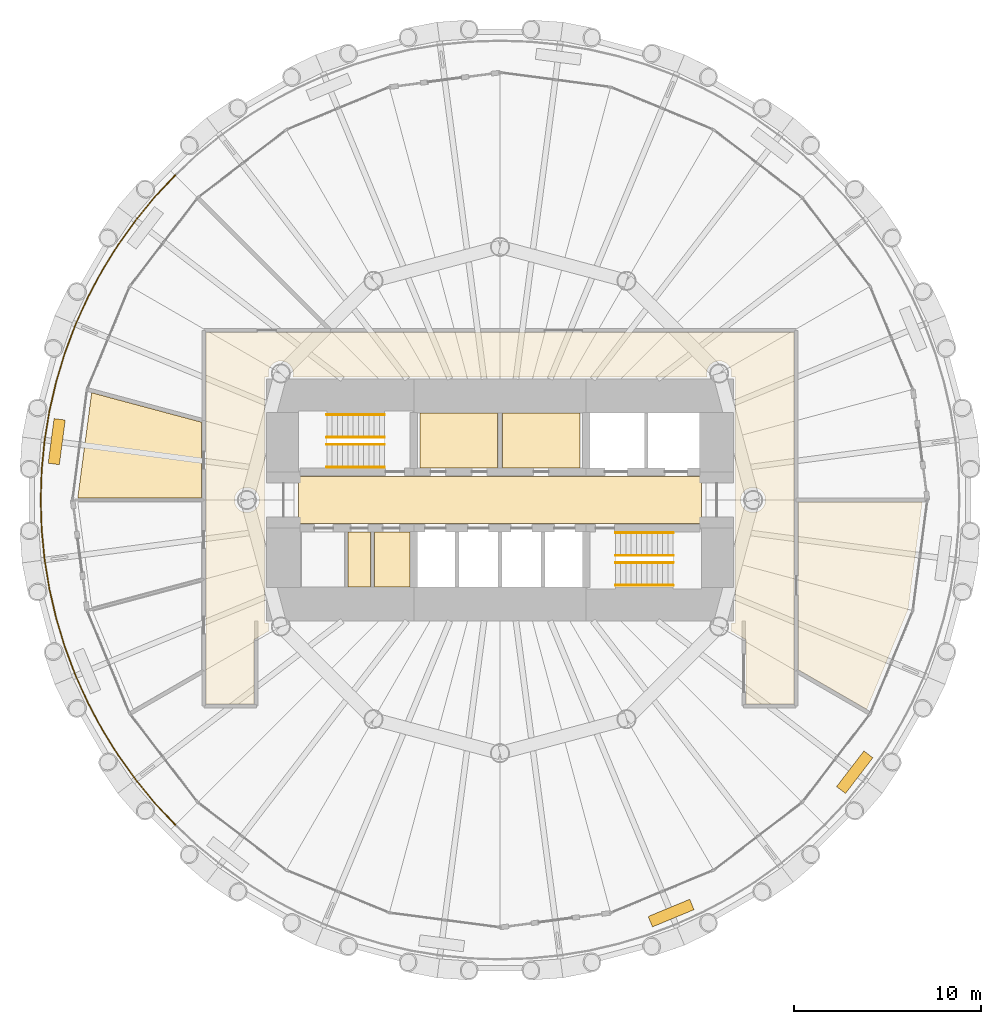
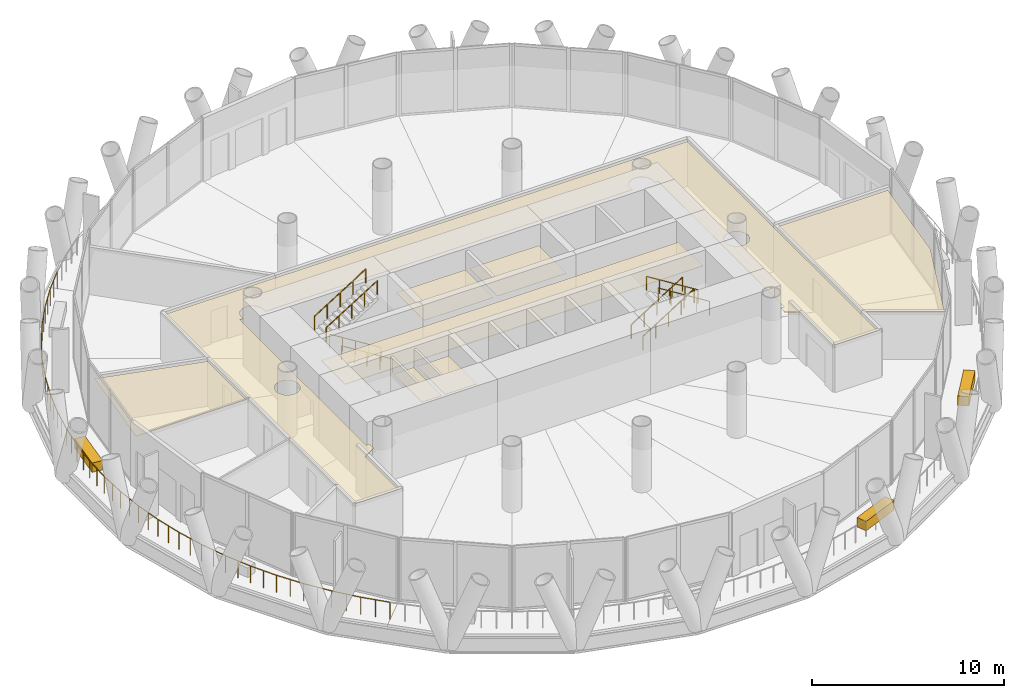
# One storey, part 12 of 14: 11 coverings, 9 railings.
"""IFC4 building model written with IfcOpenShell, lengths in metres."""

from ifc_helpers import new_model, si_unit, direction, frame, origin, origin_2d, place, context, subcontext, project, spatial, polyline, rectangle, circle, outline, extrude, material, layer, layer_set, type_object, element, save


model = new_model("IFC4")

# Units and contexts
model_context = context("Model", 3, precision=1e-05, world=origin(), true_north=direction((0.0, 1.0)))
body_context = subcontext(model_context, "Body", "Model", "MODEL_VIEW")
ifc_project = project(units=[si_unit("LENGTHUNIT", "METRE"), si_unit("AREAUNIT", "SQUARE_METRE"), si_unit("VOLUMEUNIT", "CUBIC_METRE"), si_unit("PLANEANGLEUNIT", "RADIAN"), si_unit("MASSUNIT", "GRAM", prefix="KILO")], contexts=[model_context])

# Site, building, storey
site_placement = place(None, origin())
site = spatial("IfcSite", under=ifc_project, at=site_placement, CompositionType="ELEMENT")
building_placement = place(site_placement, origin())
building = spatial("IfcBuilding", under=site, at=building_placement, Name="Qaws Media Tower", CompositionType="ELEMENT")
storey_placement = place(building_placement, frame((0.0, 0.0, 118.39990234375)))
storey = spatial("IfcBuildingStorey", under=building, at=storey_placement, Name="L26", CompositionType="ELEMENT", Elevation=118.39990234375)

# Railing
ifc_material_1 = material(Name="Stainless steel and glass guard", Category="steel")
railing_type_1 = type_object("IfcRailingType", Name="Balcony guard 1100", PredefinedType="GUARDRAIL", material=ifc_material_1)
railing_placement = place(storey_placement, frame((42.67578125, 67.32421875, 0.0)))
element("IfcRailing", 1, at=railing_placement, inside=storey, type_object=railing_type_1, Name="GR1 balcony guard L26-2", PredefinedType="GUARDRAIL", context=body_context, shape_type="SweptSolid", body=[
    extrude(circle(Radius=0.02392578125, at=origin_2d()), frame((0.0, 0.0, 1.076171875), z_axis=(-0.683581400889, -0.729874282571, 0.0), x_axis=(0.729874282571, -0.683581400889, 0.0)), (0.0, 0.0, 1.0), 1.603271484375),
    extrude(circle(Radius=0.02392578125, at=origin_2d()), frame((-1.095947265625, -1.170166015625, 1.076171875), z_axis=(-0.634339944874, -0.773054224707, 0.0), x_axis=(0.773054224707, -0.634339944874, 0.0)), (0.0, 0.0, 1.0), 1.603271484375),
    extrude(circle(Radius=0.02392578125, at=origin_2d()), frame((-2.113037109375, -2.40966796875, 1.076171875), z_axis=(-0.582534034023, -0.812806311002, 0.0), x_axis=(0.812806311002, -0.582534034023, 0.0)), (0.0, 0.0, 1.0), 1.60302734375),
    extrude(circle(Radius=0.02392578125, at=origin_2d()), frame((-3.046875, -3.712646484375, 1.076171875), z_axis=(-0.527957869679, -0.849270562215, 0.0), x_axis=(0.849270562215, -0.527957869679, 0.0)), (0.0, 0.0, 1.0), 1.603271484375),
    extrude(circle(Radius=0.02392578125, at=origin_2d()), frame((-3.893310546875, -5.07421875, 1.076171875), z_axis=(-0.471473251733, -0.881880362011, 0.0), x_axis=(0.881880362011, -0.471473251733, 0.0)), (0.0, 0.0, 1.0), 1.603271484375),
    extrude(circle(Radius=0.02392578125, at=origin_2d()), frame((-4.649169921875, -6.488037109375, 1.076171875), z_axis=(-0.412655365799, -0.910887231812, 0.0), x_axis=(0.910887231812, -0.412655365799, 0.0)), (0.0, 0.0, 1.0), 1.603271484375),
    extrude(circle(Radius=0.02392578125, at=origin_2d()), frame((-5.310791015625, -7.948486328125, 1.076171875), z_axis=(-0.352224624201, -0.935915495174, 0.0), x_axis=(0.935915495174, -0.352224624201, 0.0)), (0.0, 0.0, 1.0), 1.603271484375),
    extrude(circle(Radius=0.02392578125, at=origin_2d()), frame((-5.87548828125, -9.448974609375, 1.076171875), z_axis=(-0.290391970189, -0.956907782208, 0.0), x_axis=(0.956907782208, -0.290391970189, 0.0)), (0.0, 0.0, 1.0), 1.603271484375),
    extrude(circle(Radius=0.02392578125, at=origin_2d()), frame((-6.341064453125, -10.983154296875, 1.076171875), z_axis=(-0.227061116742, -0.973880510773, 0.0), x_axis=(0.973880510773, -0.227061116742, 0.0)), (0.0, 0.0, 1.0), 1.603271484375),
    extrude(circle(Radius=0.02392578125, at=origin_2d()), frame((-6.705078125, -12.54443359375, 1.076171875), z_axis=(-0.162793594249, -0.986660146997, 0.0), x_axis=(0.986660146997, -0.162793594249, 0.0)), (0.0, 0.0, 1.0), 1.603271484375),
    extrude(circle(Radius=0.02392578125, at=origin_2d()), frame((-6.966064453125, -14.126220703125, 1.076171875), z_axis=(-0.098056376194, -0.995180861496, 0.0), x_axis=(0.995180861496, -0.098056376194, 0.0)), (0.0, 0.0, 1.0), 1.603515625),
    extrude(circle(Radius=0.02392578125, at=origin_2d()), frame((-7.123291015625, -15.721923828125, 1.076171875), z_axis=(-0.03274184459, -0.999463842074, 0.0), x_axis=(0.999463842074, -0.03274184459, 0.0)), (0.0, 0.0, 1.0), 1.603271484375),
    extrude(circle(Radius=0.02392578125, at=origin_2d()), frame((-7.17578125, -17.32421875, 1.076171875), z_axis=(0.03274184459, -0.999463842074, 0.0), x_axis=(0.999463842074, 0.03274184459, 0.0)), (0.0, 0.0, 1.0), 1.603271484375),
    extrude(circle(Radius=0.02392578125, at=origin_2d()), frame((-7.123291015625, -18.926513671875, 1.076171875), z_axis=(0.098056376194, -0.995180861496, 0.0), x_axis=(0.995180861496, 0.098056376194, 0.0)), (0.0, 0.0, 1.0), 1.603515625),
    extrude(circle(Radius=0.02392578125, at=origin_2d()), frame((-6.966064453125, -20.522216796875, 1.076171875), z_axis=(0.162793594249, -0.986660146997, 0.0), x_axis=(0.986660146997, 0.162793594249, 0.0)), (0.0, 0.0, 1.0), 1.603271484375),
    extrude(circle(Radius=0.02392578125, at=origin_2d()), frame((-6.705078125, -22.10400390625, 1.076171875), z_axis=(0.227061116742, -0.973880510773, 0.0), x_axis=(0.973880510773, 0.227061116742, 0.0)), (0.0, 0.0, 1.0), 1.603271484375),
    extrude(circle(Radius=0.02392578125, at=origin_2d()), frame((-6.341064453125, -23.665283203125, 1.076171875), z_axis=(0.290391970189, -0.956907782208, 0.0), x_axis=(0.956907782208, 0.290391970189, 0.0)), (0.0, 0.0, 1.0), 1.603271484375),
    extrude(circle(Radius=0.02392578125, at=origin_2d()), frame((-5.87548828125, -25.199462890625, 1.076171875), z_axis=(0.352224624201, -0.935915495174, 0.0), x_axis=(0.935915495174, 0.352224624201, 0.0)), (0.0, 0.0, 1.0), 1.603271484375),
    extrude(circle(Radius=0.02392578125, at=origin_2d()), frame((-5.310791015625, -26.699951171875, 1.076171875), z_axis=(0.412655365799, -0.910887231812, 0.0), x_axis=(0.910887231812, 0.412655365799, 0.0)), (0.0, 0.0, 1.0), 1.603271484375),
    extrude(circle(Radius=0.02392578125, at=origin_2d()), frame((-4.649169921875, -28.160400390625, 1.076171875), z_axis=(0.471473251733, -0.881880362011, 0.0), x_axis=(0.881880362011, 0.471473251733, 0.0)), (0.0, 0.0, 1.0), 1.603271484375),
    extrude(circle(Radius=0.02392578125, at=origin_2d()), frame((-3.893310546875, -29.57421875, 1.076171875), z_axis=(0.527957869679, -0.849270562215, 0.0), x_axis=(0.849270562215, 0.527957869679, 0.0)), (0.0, 0.0, 1.0), 1.603271484375),
    extrude(circle(Radius=0.02392578125, at=origin_2d()), frame((-3.046875, -30.935791015625, 1.076171875), z_axis=(0.582534034023, -0.812806311002, 0.0), x_axis=(0.812806311002, 0.582534034023, 0.0)), (0.0, 0.0, 1.0), 1.60302734375),
    extrude(circle(Radius=0.02392578125, at=origin_2d()), frame((-2.113037109375, -32.23876953125, 1.076171875), z_axis=(0.634339944874, -0.773054224707, 0.0), x_axis=(0.773054224707, 0.634339944874, 0.0)), (0.0, 0.0, 1.0), 1.603271484375),
    extrude(circle(Radius=0.02392578125, at=origin_2d()), frame((-1.095947265625, -33.478271484375, 1.076171875), z_axis=(0.683581400889, -0.729874282571, 0.0), x_axis=(0.729874282571, 0.683581400889, 0.0)), (0.0, 0.0, 1.0), 1.603271484375),
    extrude(circle(Radius=0.02099609375, at=origin_2d()), origin(), (0.0, 0.0, 1.0), 1.052001953125),
    extrude(circle(Radius=0.02099609375, at=origin_2d()), frame((-0.5478515625, -0.5849609375, 0.0)), (0.0, 0.0, 1.0), 1.052001953125),
    extrude(circle(Radius=0.02099609375, at=origin_2d()), frame((-1.095947265625, -1.170166015625, 0.0)), (0.0, 0.0, 1.0), 1.052001953125),
    extrude(circle(Radius=0.02099609375, at=origin_2d()), frame((-1.6044921875, -1.7900390625, 0.0)), (0.0, 0.0, 1.0), 1.052001953125),
    extrude(circle(Radius=0.02099609375, at=origin_2d()), frame((-2.113037109375, -2.40966796875, 0.0)), (0.0, 0.0, 1.0), 1.052001953125),
    extrude(circle(Radius=0.02099609375, at=origin_2d()), frame((-2.580078125, -3.06103515625, 0.0)), (0.0, 0.0, 1.0), 1.052001953125),
    extrude(circle(Radius=0.02099609375, at=origin_2d()), frame((-3.046875, -3.712646484375, 0.0)), (0.0, 0.0, 1.0), 1.052001953125),
    extrude(circle(Radius=0.02099609375, at=origin_2d()), frame((-3.47021484375, -4.3935546875, 0.0)), (0.0, 0.0, 1.0), 1.052001953125),
    extrude(circle(Radius=0.02099609375, at=origin_2d()), frame((-3.893310546875, -5.07421875, 0.0)), (0.0, 0.0, 1.0), 1.052001953125),
    extrude(circle(Radius=0.02099609375, at=origin_2d()), frame((-4.271240234375, -5.78125, 0.0)), (0.0, 0.0, 1.0), 1.052001953125),
    extrude(circle(Radius=0.02099609375, at=origin_2d()), frame((-4.649169921875, -6.488037109375, 0.0)), (0.0, 0.0, 1.0), 1.052001953125),
    extrude(circle(Radius=0.02099609375, at=origin_2d()), frame((-4.97998046875, -7.21826171875, 0.0)), (0.0, 0.0, 1.0), 1.052001953125),
    extrude(circle(Radius=0.02099609375, at=origin_2d()), frame((-5.310791015625, -7.948486328125, 0.0)), (0.0, 0.0, 1.0), 1.052001953125),
    extrude(circle(Radius=0.02099609375, at=origin_2d()), frame((-5.59326171875, -8.69873046875, 0.0)), (0.0, 0.0, 1.0), 1.052001953125),
    extrude(circle(Radius=0.02099609375, at=origin_2d()), frame((-5.87548828125, -9.448974609375, 0.0)), (0.0, 0.0, 1.0), 1.052001953125),
    extrude(circle(Radius=0.02099609375, at=origin_2d()), frame((-6.1083984375, -10.216064453125, 0.0)), (0.0, 0.0, 1.0), 1.052001953125),
    extrude(circle(Radius=0.02099609375, at=origin_2d()), frame((-6.341064453125, -10.983154296875, 0.0)), (0.0, 0.0, 1.0), 1.052001953125),
    extrude(circle(Radius=0.02099609375, at=origin_2d()), frame((-6.52294921875, -11.763671875, 0.0)), (0.0, 0.0, 1.0), 1.052001953125),
    extrude(circle(Radius=0.02099609375, at=origin_2d()), frame((-6.705078125, -12.54443359375, 0.0)), (0.0, 0.0, 1.0), 1.052001953125),
    extrude(circle(Radius=0.02099609375, at=origin_2d()), frame((-6.83544921875, -13.33544921875, 0.0)), (0.0, 0.0, 1.0), 1.052001953125),
    extrude(circle(Radius=0.02099609375, at=origin_2d()), frame((-6.966064453125, -14.126220703125, 0.0)), (0.0, 0.0, 1.0), 1.052001953125),
    extrude(circle(Radius=0.02099609375, at=origin_2d()), frame((-7.044677734375, -14.924072265625, 0.0)), (0.0, 0.0, 1.0), 1.052001953125),
    extrude(circle(Radius=0.02099609375, at=origin_2d()), frame((-7.123291015625, -15.721923828125, 0.0)), (0.0, 0.0, 1.0), 1.052001953125),
    extrude(circle(Radius=0.02099609375, at=origin_2d()), frame((-7.1494140625, -16.52294921875, 0.0)), (0.0, 0.0, 1.0), 1.052001953125),
    extrude(circle(Radius=0.02099609375, at=origin_2d()), frame((-7.17578125, -17.32421875, 0.0)), (0.0, 0.0, 1.0), 1.052001953125),
    extrude(circle(Radius=0.02099609375, at=origin_2d()), frame((-7.1494140625, -18.12548828125, 0.0)), (0.0, 0.0, 1.0), 1.052001953125),
    extrude(circle(Radius=0.02099609375, at=origin_2d()), frame((-7.123291015625, -18.926513671875, 0.0)), (0.0, 0.0, 1.0), 1.052001953125),
    extrude(circle(Radius=0.02099609375, at=origin_2d()), frame((-7.044677734375, -19.724365234375, 0.0)), (0.0, 0.0, 1.0), 1.052001953125),
    extrude(circle(Radius=0.02099609375, at=origin_2d()), frame((-6.966064453125, -20.522216796875, 0.0)), (0.0, 0.0, 1.0), 1.052001953125),
    extrude(circle(Radius=0.02099609375, at=origin_2d()), frame((-6.83544921875, -21.31298828125, 0.0)), (0.0, 0.0, 1.0), 1.052001953125),
    extrude(circle(Radius=0.02099609375, at=origin_2d()), frame((-6.705078125, -22.10400390625, 0.0)), (0.0, 0.0, 1.0), 1.052001953125),
    extrude(circle(Radius=0.02099609375, at=origin_2d()), frame((-6.52294921875, -22.884765625, 0.0)), (0.0, 0.0, 1.0), 1.052001953125),
    extrude(circle(Radius=0.02099609375, at=origin_2d()), frame((-6.341064453125, -23.665283203125, 0.0)), (0.0, 0.0, 1.0), 1.052001953125),
    extrude(circle(Radius=0.02099609375, at=origin_2d()), frame((-6.1083984375, -24.432373046875, 0.0)), (0.0, 0.0, 1.0), 1.052001953125),
    extrude(circle(Radius=0.02099609375, at=origin_2d()), frame((-5.87548828125, -25.199462890625, 0.0)), (0.0, 0.0, 1.0), 1.052001953125),
    extrude(circle(Radius=0.02099609375, at=origin_2d()), frame((-5.59326171875, -25.94970703125, 0.0)), (0.0, 0.0, 1.0), 1.052001953125),
    extrude(circle(Radius=0.02099609375, at=origin_2d()), frame((-5.310791015625, -26.699951171875, 0.0)), (0.0, 0.0, 1.0), 1.052001953125),
    extrude(circle(Radius=0.02099609375, at=origin_2d()), frame((-4.97998046875, -27.43017578125, 0.0)), (0.0, 0.0, 1.0), 1.052001953125),
    extrude(circle(Radius=0.02099609375, at=origin_2d()), frame((-4.649169921875, -28.160400390625, 0.0)), (0.0, 0.0, 1.0), 1.052001953125),
    extrude(circle(Radius=0.02099609375, at=origin_2d()), frame((-4.271240234375, -28.8671875, 0.0)), (0.0, 0.0, 1.0), 1.052001953125),
    extrude(circle(Radius=0.02099609375, at=origin_2d()), frame((-3.893310546875, -29.57421875, 0.0)), (0.0, 0.0, 1.0), 1.052001953125),
    extrude(circle(Radius=0.02099609375, at=origin_2d()), frame((-3.47021484375, -30.2548828125, 0.0)), (0.0, 0.0, 1.0), 1.052001953125),
    extrude(circle(Radius=0.02099609375, at=origin_2d()), frame((-3.046875, -30.935791015625, 0.0)), (0.0, 0.0, 1.0), 1.052001953125),
    extrude(circle(Radius=0.02099609375, at=origin_2d()), frame((-2.580078125, -31.58740234375, 0.0)), (0.0, 0.0, 1.0), 1.052001953125),
    extrude(circle(Radius=0.02099609375, at=origin_2d()), frame((-2.113037109375, -32.23876953125, 0.0)), (0.0, 0.0, 1.0), 1.052001953125),
    extrude(circle(Radius=0.02099609375, at=origin_2d()), frame((-1.6044921875, -32.8583984375, 0.0)), (0.0, 0.0, 1.0), 1.052001953125),
    extrude(circle(Radius=0.02099609375, at=origin_2d()), frame((-1.095947265625, -33.478271484375, 0.0)), (0.0, 0.0, 1.0), 1.052001953125),
    extrude(circle(Radius=0.02099609375, at=origin_2d()), frame((-0.5478515625, -34.0634765625, 0.0)), (0.0, 0.0, 1.0), 1.052001953125),
    extrude(circle(Radius=0.02099609375, at=origin_2d()), frame((0.0, -34.6484375, 0.0)), (0.0, 0.0, 1.0), 1.052001953125),
])

# Coverings
ifc_material_2 = material(Name="600 x 600 mineral fibre tiles in exposed grid, suspended", Category="mineral fibre")
ifc_layer_1 = layer(ifc_material_2, 0.02001953125)
ifc_layer_set_1 = layer_set([ifc_layer_1], Name="Mineral fibre tile ceiling 20")
covering_type_1 = type_object("IfcCoveringType", Name="Mineral fibre tile ceiling 20", PredefinedType="CEILING", material=ifc_layer_set_1)
covering_1_placement = place(storey_placement, frame((0.0, 0.0, 2.85009765625)))
element("IfcCovering", 2, at=covering_1_placement, inside=storey, type_object=covering_type_1, Name="CL1 ceiling L26-C07 Ladies toilets", PredefinedType="CEILING", context=body_context, shape_type="SweptSolid", body=[
    extrude(outline(polyline([(55.719970703125, 51.719970703125), (55.719970703125, 54.6298828125), (59.8798828125, 54.6298828125), (59.8798828125, 51.719970703125), (55.719970703125, 51.719970703125)])), origin(), (0.0, 0.0, 1.0), 0.02001953125),
])
covering_2_placement = place(storey_placement, frame((0.0, 0.0, 2.85009765625)))
element("IfcCovering", 3, at=covering_2_placement, inside=storey, type_object=covering_type_1, Name="CL1 ceiling L26-C08 Gents toilets", PredefinedType="CEILING", context=body_context, shape_type="SweptSolid", body=[
    extrude(outline(polyline([(60.1201171875, 51.719970703125), (60.1201171875, 54.6298828125), (64.280029296875, 54.6298828125), (64.280029296875, 51.719970703125), (60.1201171875, 51.719970703125)])), origin(), (0.0, 0.0, 1.0), 0.02001953125),
])
covering_3_placement = place(storey_placement, frame((0.0, 0.0, 2.85009765625)))
element("IfcCovering", 4, at=covering_3_placement, inside=storey, type_object=covering_type_1, Name="CL1 ceiling L26-01 Corridor", PredefinedType="CEILING", context=body_context, shape_type="SweptSolid", body=[
    extrude(outline(polyline([(44.3125, 39.112548828125), (44.3125, 58.9375), (75.6875, 58.9375), (75.6875, 39.112548828125), (73.112548828125, 39.112548828125), (73.112548828125, 42.559326171875), (72.31689453125, 43.018798828125), (72.336669921875, 43.0771484375), (72.353515625, 43.162841796875), (72.359375, 43.25), (72.353515625, 43.337158203125), (72.336669921875, 43.4228515625), (72.33154296875, 43.4375), (72.5625, 43.4375), (72.5625, 56.5625), (72.33154296875, 56.5625), (72.336669921875, 56.5771484375), (72.353515625, 56.662841796875), (72.359375, 56.75), (72.353515625, 56.837158203125), (72.336669921875, 56.9228515625), (72.30859375, 57.005615234375), (72.269775390625, 57.083984375), (72.22119140625, 57.15673828125), (72.163818359375, 57.222412109375), (72.097900390625, 57.280029296875), (72.025390625, 57.32861328125), (71.947021484375, 57.3671875), (71.8642578125, 57.395263671875), (71.778564453125, 57.412353515625), (71.69140625, 57.41796875), (71.604248046875, 57.412353515625), (71.5185546875, 57.395263671875), (71.435791015625, 57.3671875), (71.357421875, 57.32861328125), (71.28466796875, 57.280029296875), (71.218994140625, 57.222412109375), (71.161376953125, 57.15673828125), (71.11279296875, 57.083984375), (71.07421875, 57.005615234375), (71.046142578125, 56.9228515625), (71.029052734375, 56.837158203125), (71.023193359375, 56.75), (71.029052734375, 56.662841796875), (71.046142578125, 56.5771484375), (71.051025390625, 56.5625), (48.948974609375, 56.5625), (48.953857421875, 56.5771484375), (48.970947265625, 56.662841796875), (48.976806640625, 56.75), (48.970947265625, 56.837158203125), (48.953857421875, 56.9228515625), (48.92578125, 57.005615234375), (48.88720703125, 57.083984375), (48.838623046875, 57.15673828125), (48.781005859375, 57.222412109375), (48.71533203125, 57.280029296875), (48.642578125, 57.32861328125), (48.564208984375, 57.3671875), (48.4814453125, 57.395263671875), (48.395751953125, 57.412353515625), (48.30859375, 57.41796875), (48.221435546875, 57.412353515625), (48.1357421875, 57.395263671875), (48.052978515625, 57.3671875), (47.974609375, 57.32861328125), (47.902099609375, 57.280029296875), (47.836181640625, 57.222412109375), (47.77880859375, 57.15673828125), (47.730224609375, 57.083984375), (47.69140625, 57.005615234375), (47.663330078125, 56.9228515625), (47.646484375, 56.837158203125), (47.640625, 56.75), (47.646484375, 56.662841796875), (47.663330078125, 56.5771484375), (47.66845703125, 56.5625), (47.4375, 56.5625), (47.4375, 43.4375), (47.66845703125, 43.4375), (47.663330078125, 43.4228515625), (47.646484375, 43.337158203125), (47.640625, 43.25), (47.646484375, 43.162841796875), (47.663330078125, 43.0771484375), (47.68310546875, 43.018798828125), (46.887451171875, 42.559326171875), (46.887451171875, 39.112548828125), (44.3125, 39.112548828125)]), holes=[polyline([(47.1171875, 49.744384765625), (47.145263671875, 49.8271484375), (47.162353515625, 49.912841796875), (47.16796875, 50.0), (47.162353515625, 50.087158203125), (47.145263671875, 50.1728515625), (47.1171875, 50.255615234375), (47.07861328125, 50.333984375), (47.030029296875, 50.40673828125), (46.972412109375, 50.472412109375), (46.90673828125, 50.530029296875), (46.833984375, 50.57861328125), (46.755615234375, 50.6171875), (46.6728515625, 50.645263671875), (46.587158203125, 50.662353515625), (46.5, 50.66796875), (46.412841796875, 50.662353515625), (46.3271484375, 50.645263671875), (46.244384765625, 50.6171875), (46.166015625, 50.57861328125), (46.09326171875, 50.530029296875), (46.027587890625, 50.472412109375), (45.969970703125, 50.40673828125), (45.92138671875, 50.333984375), (45.8828125, 50.255615234375), (45.854736328125, 50.1728515625), (45.837646484375, 50.087158203125), (45.83203125, 50.0), (45.837646484375, 49.912841796875), (45.854736328125, 49.8271484375), (45.8828125, 49.744384765625), (45.92138671875, 49.666015625), (45.969970703125, 49.59326171875), (46.027587890625, 49.527587890625), (46.09326171875, 49.469970703125), (46.166015625, 49.42138671875), (46.244384765625, 49.3828125), (46.3271484375, 49.354736328125), (46.412841796875, 49.337646484375), (46.5, 49.33203125), (46.587158203125, 49.337646484375), (46.6728515625, 49.354736328125), (46.755615234375, 49.3828125), (46.833984375, 49.42138671875), (46.90673828125, 49.469970703125), (46.972412109375, 49.527587890625), (47.030029296875, 49.59326171875), (47.07861328125, 49.666015625), (47.1171875, 49.744384765625)]), polyline([(74.145263671875, 49.8271484375), (74.162353515625, 49.912841796875), (74.16796875, 50.0), (74.162353515625, 50.087158203125), (74.145263671875, 50.1728515625), (74.1171875, 50.255615234375), (74.07861328125, 50.333984375), (74.030029296875, 50.40673828125), (73.972412109375, 50.472412109375), (73.90673828125, 50.530029296875), (73.833984375, 50.57861328125), (73.755615234375, 50.6171875), (73.6728515625, 50.645263671875), (73.587158203125, 50.662353515625), (73.5, 50.66796875), (73.412841796875, 50.662353515625), (73.3271484375, 50.645263671875), (73.244384765625, 50.6171875), (73.166015625, 50.57861328125), (73.09326171875, 50.530029296875), (73.027587890625, 50.472412109375), (72.969970703125, 50.40673828125), (72.92138671875, 50.333984375), (72.8828125, 50.255615234375), (72.854736328125, 50.1728515625), (72.837646484375, 50.087158203125), (72.83203125, 50.0), (72.837646484375, 49.912841796875), (72.854736328125, 49.8271484375), (72.8828125, 49.744384765625), (72.92138671875, 49.666015625), (72.969970703125, 49.59326171875), (73.027587890625, 49.527587890625), (73.09326171875, 49.469970703125), (73.166015625, 49.42138671875), (73.244384765625, 49.3828125), (73.3271484375, 49.354736328125), (73.412841796875, 49.337646484375), (73.5, 49.33203125), (73.587158203125, 49.337646484375), (73.6728515625, 49.354736328125), (73.755615234375, 49.3828125), (73.833984375, 49.42138671875), (73.90673828125, 49.469970703125), (73.972412109375, 49.527587890625), (74.030029296875, 49.59326171875), (74.07861328125, 49.666015625), (74.1171875, 49.744384765625), (74.145263671875, 49.8271484375)])]), origin(), (0.0, 0.0, 1.0), 0.02001953125),
])
covering_4_placement = place(storey_placement, frame((0.0, 0.0, 2.85009765625)))
element("IfcCovering", 5, at=covering_4_placement, inside=storey, type_object=covering_type_1, Name="CL1 ceiling L26-04 Office", PredefinedType="CEILING", context=body_context, shape_type="SweptSolid", body=[
    extrude(outline(polyline([(38.2177734375, 55.719970703125), (44.08740234375, 54.147216796875), (44.08740234375, 50.112548828125), (37.4794921875, 50.112548828125), (38.2177734375, 55.719970703125)])), origin(), (0.0, 0.0, 1.0), 0.02001953125),
])
covering_5_placement = place(storey_placement, frame((0.0, 0.0, 2.85009765625)))
element("IfcCovering", 6, at=covering_5_placement, inside=storey, type_object=covering_type_1, Name="CL1 ceiling L26-08 Sales office", PredefinedType="CEILING", context=body_context, shape_type="SweptSolid", body=[
    extrude(outline(polyline([(81.767333984375, 44.16748046875), (79.5595703125, 38.837158203125), (75.91259765625, 40.94287109375), (75.91259765625, 49.887451171875), (82.5205078125, 49.887451171875), (81.767333984375, 44.16748046875)])), origin(), (0.0, 0.0, 1.0), 0.02001953125),
])
covering_6_placement = place(storey_placement, frame((0.0, 0.0, 2.85009765625)))
element("IfcCovering", 7, at=covering_6_placement, inside=storey, type_object=covering_type_1, Name="CL1 ceiling L26-C05 Cleaner's room", PredefinedType="CEILING", context=body_context, shape_type="SweptSolid", body=[
    extrude(outline(polyline([(51.89990234375, 45.35009765625), (51.89990234375, 48.300048828125), (53.10009765625, 48.300048828125), (53.10009765625, 45.35009765625), (51.89990234375, 45.35009765625)])), origin(), (0.0, 0.0, 1.0), 0.02001953125),
])
covering_7_placement = place(storey_placement, frame((0.0, 0.0, 2.85009765625)))
element("IfcCovering", 8, at=covering_7_placement, inside=storey, type_object=covering_type_1, Name="CL1 ceiling L26-C06 First aid room", PredefinedType="CEILING", context=body_context, shape_type="SweptSolid", body=[
    extrude(outline(polyline([(53.300048828125, 45.35009765625), (53.300048828125, 48.300048828125), (55.199951171875, 48.300048828125), (55.199951171875, 45.35009765625), (53.300048828125, 45.35009765625)])), origin(), (0.0, 0.0, 1.0), 0.02001953125),
])
ifc_material_3 = material(Name="Precast concrete planter with trailing planting", Category="concrete")
ifc_layer_2 = layer(ifc_material_3, 0.60009765625)
ifc_layer_set_2 = layer_set([ifc_layer_2], Name="Planter 2400x600")
covering_type_2 = type_object("IfcCoveringType", Name="Planter 2400x600", PredefinedType="USERDEFINED", material=ifc_layer_set_2)
for number, where, z_axis, x_axis, name in (
    (9, (36.35400390625, 53.113037109375, 0.0), (0.0, 0.0, 1.0), (-0.13052619222, -0.991444861374, 0.0), "PL1 balcony planter L26-06"),
    (10, (69.126953125, 27.965576171875, 0.0), (0.0, 0.0, 1.0), (0.923879532511, 0.382683432365, 0.0), "PL1 balcony planter L26-10"),
    (11, (78.92138671875, 35.48095703125, 0.0), (0.0, 0.0, 1.0), (0.608761429009, 0.793353340291, 0.0), "PL1 balcony planter L26-11"),
):
    element("IfcCovering", number, at=place(storey_placement, frame(where, z_axis=z_axis, x_axis=x_axis)), inside=storey, type_object=covering_type_2, Name=name, ObjectType="PLANTER", PredefinedType="USERDEFINED", context=body_context, shape_type="SweptSolid", body=[
        extrude(rectangle(XDim=2.39990234375, YDim=0.60009765625, at=origin_2d()), origin(), (0.0, 0.0, 1.0), 0.60009765625),
    ])
ifc_material_4 = material(Name="Two layers 12.5 moisture-resistant plasterboard on suspended metal furring", Category="gypsum")
ifc_layer_3 = layer(ifc_material_4, 0.02490234375)
ifc_layer_set_3 = layer_set([ifc_layer_3], Name="Plasterboard ceiling 25")
covering_type_3 = type_object("IfcCoveringType", Name="Plasterboard ceiling 25", PredefinedType="CEILING", material=ifc_layer_set_3)
covering_8_placement = place(storey_placement, frame((0.0, 0.0, 2.85009765625)))
element("IfcCovering", 12, at=covering_8_placement, inside=storey, type_object=covering_type_3, Name="CL2 ceiling L26-C01 Lift lobby", PredefinedType="CEILING", context=body_context, shape_type="SweptSolid", body=[
    extrude(outline(polyline([(49.25, 48.75), (49.25, 51.25), (70.75, 51.25), (70.75, 48.75), (49.25, 48.75)])), origin(), (0.0, 0.0, 1.0), 0.02490234375),
])

# Railings
ifc_material_5 = material(Name="Steel tube handrail", Category="steel")
railing_type_2 = type_object("IfcRailingType", Name="Stair handrail 900", PredefinedType="HANDRAIL", material=ifc_material_5)
for number, where, name in (
    (13, (53.840087890625, 51.75, 0.175048828125), "HR1 handrail S1 flight 1 L26"),
    (14, (53.840087890625, 52.9599609375, 0.175048828125), "HR1 handrail S1 flight 1 L26"),
):
    element("IfcRailing", number, at=place(storey_placement, frame(where)), inside=storey, type_object=railing_type_2, Name=name, PredefinedType="HANDRAIL", context=body_context, shape_type="SweptSolid", body=[
        extrude(circle(Radius=0.02392578125, at=origin_2d()), frame((0.0, 0.0, 0.8759765625), z_axis=(-0.847998304005, 0.0, 0.529998940003), x_axis=(0.0, -1.0, 0.0)), (0.0, 0.0, 1.0), 3.632080078125),
        extrude(circle(Radius=0.02099609375, at=origin_2d()), origin(), (0.0, 0.0, 1.0), 0.851806640625),
        extrude(circle(Radius=0.02099609375, at=origin_2d()), frame((-0.77001953125, 0.0, 0.481201171875)), (0.0, 0.0, 1.0), 0.851806640625),
        extrude(circle(Radius=0.02099609375, at=origin_2d()), frame((-1.5400390625, 0.0, 0.96240234375)), (0.0, 0.0, 1.0), 0.851806640625),
        extrude(circle(Radius=0.02099609375, at=origin_2d()), frame((-2.31005859375, 0.0, 1.44384765625)), (0.0, 0.0, 1.0), 0.851806640625),
        extrude(circle(Radius=0.02099609375, at=origin_2d()), frame((-3.080078125, 0.0, 1.925048828125)), (0.0, 0.0, 1.0), 0.851806640625),
    ])
for number, where, name in (
    (15, (50.760009765625, 54.550048828125, 2.275146484375), "HR1 handrail S1 flight 2 L26"),
    (16, (50.760009765625, 53.340087890625, 2.275146484375), "HR1 handrail S1 flight 2 L26"),
    (17, (66.159912109375, 48.25, 0.175048828125), "HR1 handrail S2 flight 1 L26"),
    (18, (66.159912109375, 47.0400390625, 0.175048828125), "HR1 handrail S2 flight 1 L26"),
):
    element("IfcRailing", number, at=place(storey_placement, frame(where)), inside=storey, type_object=railing_type_2, Name=name, PredefinedType="HANDRAIL", context=body_context, shape_type="SweptSolid", body=[
        extrude(circle(Radius=0.02392578125, at=origin_2d()), frame((0.0, 0.0, 0.8759765625), z_axis=(0.847998304005, 0.0, 0.529998940003), x_axis=(0.0, 1.0, 0.0)), (0.0, 0.0, 1.0), 3.632080078125),
        extrude(circle(Radius=0.02099609375, at=origin_2d()), origin(), (0.0, 0.0, 1.0), 0.851806640625),
        extrude(circle(Radius=0.02099609375, at=origin_2d()), frame((0.77001953125, 0.0, 0.481201171875)), (0.0, 0.0, 1.0), 0.851806640625),
        extrude(circle(Radius=0.02099609375, at=origin_2d()), frame((1.5400390625, 0.0, 0.96240234375)), (0.0, 0.0, 1.0), 0.851806640625),
        extrude(circle(Radius=0.02099609375, at=origin_2d()), frame((2.31005859375, 0.0, 1.44384765625)), (0.0, 0.0, 1.0), 0.851806640625),
        extrude(circle(Radius=0.02099609375, at=origin_2d()), frame((3.080078125, 0.0, 1.925048828125)), (0.0, 0.0, 1.0), 0.851806640625),
    ])
for number, where, name in (
    (19, (69.239990234375, 45.449951171875, 2.275146484375), "HR1 handrail S2 flight 2 L26"),
    (20, (69.239990234375, 46.659912109375, 2.275146484375), "HR1 handrail S2 flight 2 L26"),
):
    element("IfcRailing", number, at=place(storey_placement, frame(where)), inside=storey, type_object=railing_type_2, Name=name, PredefinedType="HANDRAIL", context=body_context, shape_type="SweptSolid", body=[
        extrude(circle(Radius=0.02392578125, at=origin_2d()), frame((0.0, 0.0, 0.8759765625), z_axis=(-0.847998304005, 0.0, 0.529998940003), x_axis=(0.0, -1.0, 0.0)), (0.0, 0.0, 1.0), 3.632080078125),
        extrude(circle(Radius=0.02099609375, at=origin_2d()), origin(), (0.0, 0.0, 1.0), 0.851806640625),
        extrude(circle(Radius=0.02099609375, at=origin_2d()), frame((-0.77001953125, 0.0, 0.481201171875)), (0.0, 0.0, 1.0), 0.851806640625),
        extrude(circle(Radius=0.02099609375, at=origin_2d()), frame((-1.5400390625, 0.0, 0.96240234375)), (0.0, 0.0, 1.0), 0.851806640625),
        extrude(circle(Radius=0.02099609375, at=origin_2d()), frame((-2.31005859375, 0.0, 1.44384765625)), (0.0, 0.0, 1.0), 0.851806640625),
        extrude(circle(Radius=0.02099609375, at=origin_2d()), frame((-3.080078125, 0.0, 1.925048828125)), (0.0, 0.0, 1.0), 0.851806640625),
    ])

save(model, "model.ifc")
